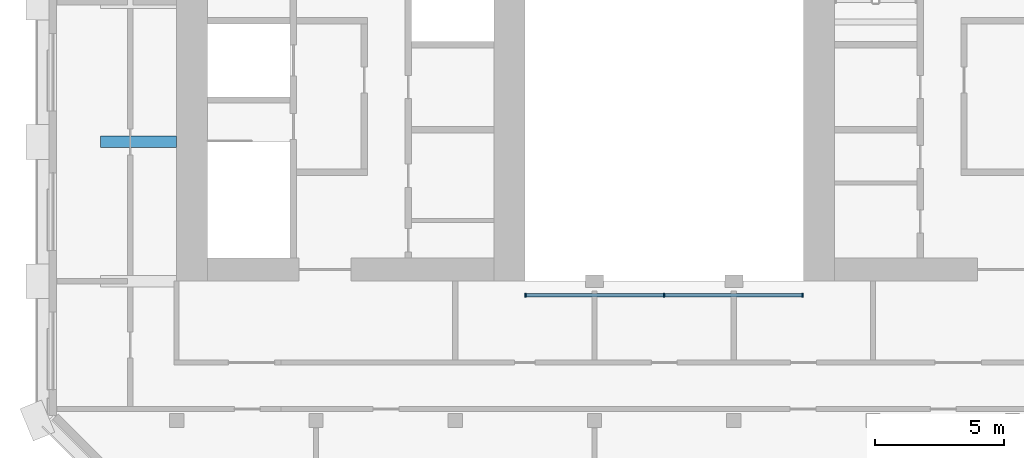
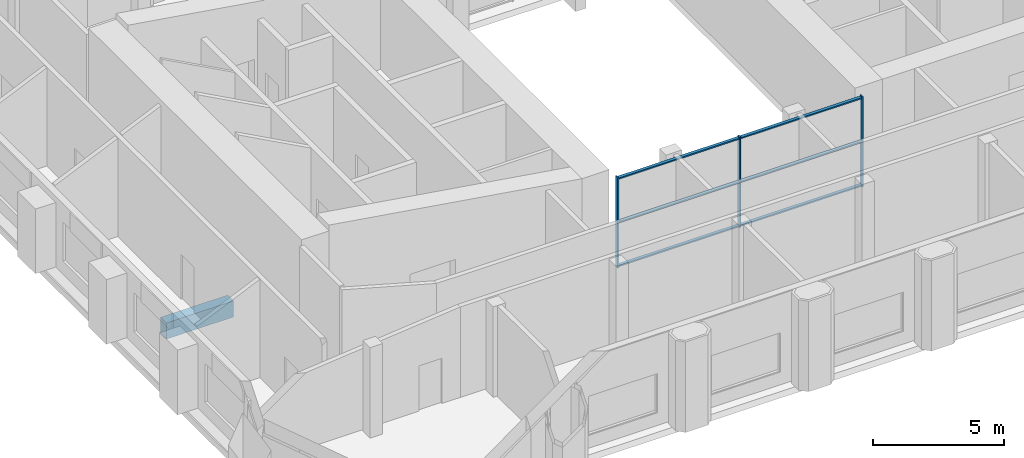
# One storey, part 2 of 11: 9 members, 1 beam, 1 element without a shape of its own.
"""IFC4 building model written with IfcOpenShell, lengths in metres."""

import ifcopenshell
import ifcopenshell.guid

model = None  # the IFC model being written
_history = None  # IfcOwnerHistory: only IFC2X3 demands one
_inside = {}  # id of a spatial element -> (the spatial element, [elements in it])
_under = {}  # id of a project, library or spatial element -> (it, [spatial elements below it])
_declared = {}  # id of a project -> (the project, [libraries it declares])
_typed = {}  # id of a type object -> (the type object, [elements of that type])
_made_of = {}  # id of a material, layer set ... -> (it, [elements and type objects made of it])


def new_model(schema):
    """Start an empty IFC model of exactly this schema.

    Asked for "IFC4X3", IfcOpenShell would pick the latest addendum, in which some entities
    have other attributes; the version numbers below select the first issue.
    IFC2X3 requires an IfcOwnerHistory on every rooted entity: one is made here for all.
    """
    global model, _history
    if schema == "IFC4X3":
        model = ifcopenshell.file(schema_version=(4, 3, 0, 0))
    else:
        model = ifcopenshell.file(schema=schema)
    _inside.clear()
    _under.clear()
    _declared.clear()
    _typed.clear()
    _made_of.clear()
    _history = None
    if model.schema == "IFC2X3":
        org = make("IfcOrganization", Name="unknown")
        user = make(
            "IfcPersonAndOrganization",
            ThePerson=make("IfcPerson", FamilyName="unknown"),
            TheOrganization=org,
        )
        app = make(
            "IfcApplication",
            ApplicationDeveloper=org,
            Version="unknown",
            ApplicationFullName="unknown",
            ApplicationIdentifier="unknown",
        )
        _history = make(
            "IfcOwnerHistory",
            OwningUser=user,
            OwningApplication=app,
            ChangeAction="ADDED",
            CreationDate=0,
        )
    return model


def make(cls, **values):
    """One entity of the class cls with the attributes given. An attribute that is None is left unset."""
    return model.create_entity(
        cls, **{name: value for name, value in values.items() if value is not None}
    )


def rooted(cls, **values):
    """An entity with a GlobalId (a new one), such as an element, a storey or a relation."""
    return make(cls, GlobalId=ifcopenshell.guid.new(), OwnerHistory=_history, **values)


def si_unit(unit_type, name, prefix=None):
    """IfcSIUnit, for example si_unit("LENGTHUNIT", "METRE", prefix="MILLI")."""
    return make("IfcSIUnit", UnitType=unit_type, Prefix=prefix, Name=name)


def assignment(units):
    """IfcUnitAssignment: the units of a project."""
    return None if units is None else make("IfcUnitAssignment", Units=units)


def point(xyz):
    """IfcCartesianPoint."""
    return None if xyz is None else make("IfcCartesianPoint", Coordinates=xyz)


def direction(xyz):
    """IfcDirection."""
    return None if xyz is None else make("IfcDirection", DirectionRatios=xyz)


def frame(location, z_axis=None, x_axis=None):
    """IfcAxis2Placement3D, a coordinate frame: its origin and axes. An axis left out is left unset."""
    return make(
        "IfcAxis2Placement3D",
        Location=point(location),
        Axis=direction(z_axis),
        RefDirection=direction(x_axis),
    )


def frame_2d(location, x_axis=None):
    """IfcAxis2Placement2D, a coordinate frame in the plane: its origin and x axis."""
    return make(
        "IfcAxis2Placement2D", Location=point(location), RefDirection=direction(x_axis)
    )


def origin():
    """The frame at (0, 0, 0) with its axes left unset."""
    return frame((0.0, 0.0, 0.0))


def origin_2d():
    """The frame at (0, 0) in the plane with its x axis left unset."""
    return frame_2d((0.0, 0.0))


def place(relative_to, where):
    """IfcLocalPlacement: puts the frame where relative to a parent placement (None: the world)."""
    return make(
        "IfcLocalPlacement", PlacementRelTo=relative_to, RelativePlacement=where
    )


def context(
    kind, dimensions, precision=None, world=None, true_north=None, identifier=None
):
    """IfcGeometricRepresentationContext, for example the 3D "Model" context."""
    return make(
        "IfcGeometricRepresentationContext",
        ContextIdentifier=identifier,
        ContextType=kind,
        CoordinateSpaceDimension=dimensions,
        Precision=precision,
        WorldCoordinateSystem=world,
        TrueNorth=true_north,
    )


def subcontext(parent, identifier, kind, view, scale=None):
    """IfcGeometricRepresentationSubContext, for example "Body" below "Model"."""
    return make(
        "IfcGeometricRepresentationSubContext",
        ContextIdentifier=identifier,
        ContextType=kind,
        ParentContext=parent,
        TargetScale=scale,
        TargetView=view,
    )


def project(units=None, contexts=None):
    """IfcProject with its units and contexts."""
    return rooted(
        "IfcProject",
        Name="project",
        RepresentationContexts=contexts,
        UnitsInContext=assignment(units),
    )


def spatial(cls, under=None, at=None, **own):
    """A site, building, storey or space (cls), placed at a placement, below another one or the project."""
    s = rooted(cls, ObjectPlacement=at, **own)
    if under is not None:
        _under.setdefault(under.id(), (under, []))[1].append(s)
    return s


def profile(cls, at=None, kind="AREA", **sizes):
    """A parametric profile (cls). Its sizes go by their IFC names, for example OverallWidth=200.0."""
    return make(cls, ProfileType=kind, Position=at, **sizes)


def rectangle(**sizes):
    """IfcRectangleProfileDef."""
    return profile("IfcRectangleProfileDef", **sizes)


def extrude(swept, where, along, depth):
    """IfcExtrudedAreaSolid: the profile swept, set in the frame where, extruded along a direction by depth."""
    return make(
        "IfcExtrudedAreaSolid",
        SweptArea=swept,
        Position=where,
        ExtrudedDirection=direction(along),
        Depth=depth,
    )


def shape(context_of_items, identifier, shape_type, items):
    """IfcShapeRepresentation: the items that make up one representation, for example the "Body"."""
    return make(
        "IfcShapeRepresentation",
        ContextOfItems=context_of_items,
        RepresentationIdentifier=identifier,
        RepresentationType=shape_type,
        Items=items,
    )


def material(Name=None, Category=None):
    """IfcMaterial."""
    return make("IfcMaterial", Name=Name, Category=Category)


def material_profile(
    of_material, cross_section, Name=None, Category=None, Priority=None
):
    """IfcMaterialProfile: a cross section and its material."""
    return make(
        "IfcMaterialProfile",
        Name=Name,
        Material=of_material,
        Profile=cross_section,
        Priority=Priority,
        Category=Category,
    )


def profile_set(profiles, Name=None, composite=None):
    """IfcMaterialProfileSet."""
    return make(
        "IfcMaterialProfileSet",
        Name=Name,
        MaterialProfiles=profiles,
        CompositeProfile=composite,
    )


def made_of(thing, what):
    """Note that an element or type object is made of a material, layer set ...; save() writes the relation."""
    if what is not None:
        _made_of.setdefault(what.id(), (what, []))[1].append(thing)
    return thing


def type_object(cls, material=None, **own):
    """A type object (cls), such as IfcWallType, which elements share."""
    return made_of(rooted(cls, **own), material)


def element(
    cls,
    number,
    at=None,
    inside=None,
    cuts=None,
    type_object=None,
    material=None,
    context=None,
    identifier="Body",
    shape_type=None,
    held_by="IfcProductDefinitionShape",
    body=None,
    shapes=None,
    **own,
):
    """One element of the class cls, such as IfcWall. Its Tag is "e" and its number.

    at: its placement. inside: the storey or other place that contains it. cuts: it is an
    opening in that element (IfcRelVoidsElement). A single representation is given by context,
    identifier, shape_type and body (its items); several are given by shapes. held_by: the class
    of the entity that holds the representations. save() writes the other relations.
    """
    e = rooted(cls, Tag="e%d" % number, ObjectPlacement=at, **own)
    if body is not None:
        shapes = [shape(context, identifier, shape_type, body)]
    if shapes is not None:
        e.Representation = make(held_by, Representations=shapes)
    if inside is not None:
        _inside.setdefault(inside.id(), (inside, []))[1].append(e)
    if cuts is not None:
        rooted(
            "IfcRelVoidsElement", RelatingBuildingElement=cuts, RelatedOpeningElement=e
        )
    if type_object is not None:
        _typed.setdefault(type_object.id(), (type_object, []))[1].append(e)
    return made_of(e, material)


def aggregate(whole, parts):
    """IfcRelAggregates: a whole, such as a stair, and the parts it consists of."""
    return rooted("IfcRelAggregates", RelatingObject=whole, RelatedObjects=parts)


def save(model, path):
    """Write the relations noted so far, then the file.

    IfcRelAggregates (storeys below a building ...), IfcRelContainedInSpatialStructure (elements
    in a storey), IfcRelDefinesByType, IfcRelAssociatesMaterial and IfcRelDeclares: one each for
    every whole, place, type object, material and project.
    """
    for whole, parts in _under.values():
        aggregate(whole, parts)
    for where, things in _inside.values():
        rooted(
            "IfcRelContainedInSpatialStructure",
            RelatedElements=things,
            RelatingStructure=where,
        )
    for kind, things in _typed.values():
        rooted("IfcRelDefinesByType", RelatedObjects=things, RelatingType=kind)
    for what, things in _made_of.values():
        rooted("IfcRelAssociatesMaterial", RelatedObjects=things, RelatingMaterial=what)
    for by, libraries in _declared.values():
        rooted("IfcRelDeclares", RelatingContext=by, RelatedDefinitions=libraries)
    model.write(path)


model = new_model("IFC4")

# Units and contexts
model_context = context("Model", 3, precision=1e-05, world=origin(), true_north=direction((0.0, 1.0)))
body_context = subcontext(model_context, "Body", "Model", "MODEL_VIEW")
ifc_project = project(units=[si_unit("LENGTHUNIT", "METRE"), si_unit("AREAUNIT", "SQUARE_METRE"), si_unit("VOLUMEUNIT", "CUBIC_METRE"), si_unit("PLANEANGLEUNIT", "RADIAN"), si_unit("MASSUNIT", "GRAM", prefix="KILO")], contexts=[model_context])

# Site, building, storey
site_placement = place(None, origin())
site = spatial("IfcSite", under=ifc_project, at=site_placement, CompositionType="ELEMENT")
building_placement = place(site_placement, origin())
building = spatial("IfcBuilding", under=site, at=building_placement, Name="Tabaq Tower and Sports Hall", CompositionType="ELEMENT")
storey_placement = place(building_placement, frame((0.0, 0.0, 321.699951171875)))
storey = spatial("IfcBuildingStorey", under=building, at=storey_placement, Name="L80", CompositionType="ELEMENT", Elevation=321.699951171875)

# Curtain wall, members
ifc_material_1 = material(Name="Aluminium alloy 6063-T6 framed glazing", Category="aluminium")
curtain_wall_type = type_object("IfcCurtainWallType", Name="CW1 curtain wall", PredefinedType="USERDEFINED", material=ifc_material_1)
curtain_wall_placement = place(storey_placement, origin())
curtain_wall = element("IfcCurtainWall", 1, at=curtain_wall_placement, inside=storey, type_object=curtain_wall_type, Name="Atrium glazing L80 S", ObjectType="ATRIUM ENCLOSURE", PredefinedType="USERDEFINED")
ifc_material_2 = material(Name="Aluminium alloy 6063-T6", Category="aluminium")
ifc_material_profile_1 = material_profile(ifc_material_2, rectangle(XDim=0.159912109375, YDim=0.06005859375, at=origin_2d()), Name="MULLION 160x60")
ifc_profile_set_1 = profile_set([ifc_material_profile_1], Name="Aluminium alloy 6063-T6")
member_type_1 = type_object("IfcMemberType", Name="CW1 mullion 160x60", PredefinedType="MULLION", material=ifc_profile_set_1)
member_1_placement = place(storey_placement, frame((18.929931640625, 15.64990234375, 0.0), z_axis=(0.0, 0.0, 1.0), x_axis=(0.0, 1.0, 0.0)))
member_1 = element("IfcMember", 2, at=member_1_placement, type_object=member_type_1, Name="CW1 mullion 1", PredefinedType="MULLION", context=body_context, shape_type="SweptSolid", body=[
    extrude(rectangle(XDim=0.159912109375, YDim=0.06005859375, at=origin_2d()), origin(), (0.0, 0.0, 1.0), 4.199951171875),
])
member_2_placement = place(storey_placement, frame((24.300048828125, 15.64990234375, 0.0), z_axis=(0.0, 0.0, 1.0), x_axis=(0.0, 1.0, 0.0)))
member_2 = element("IfcMember", 3, at=member_2_placement, type_object=member_type_1, Name="CW1 mullion 2", PredefinedType="MULLION", context=body_context, shape_type="SweptSolid", body=[
    extrude(rectangle(XDim=0.159912109375, YDim=0.06005859375, at=origin_2d()), origin(), (0.0, 0.0, 1.0), 4.199951171875),
])
member_3_placement = place(storey_placement, frame((29.669921875, 15.64990234375, 0.0), z_axis=(0.0, 0.0, 1.0), x_axis=(0.0, 1.0, 0.0)))
member_3 = element("IfcMember", 4, at=member_3_placement, type_object=member_type_1, Name="CW1 mullion 3", PredefinedType="MULLION", context=body_context, shape_type="SweptSolid", body=[
    extrude(rectangle(XDim=0.159912109375, YDim=0.06005859375, at=origin_2d()), origin(), (0.0, 0.0, 1.0), 4.199951171875),
])
ifc_material_3 = material(Name="Aluminium alloy 6063-T6", Category="aluminium")
ifc_material_profile_2 = material_profile(ifc_material_3, rectangle(XDim=0.139892578125, YDim=0.06005859375, at=origin_2d()), Name="TRANSOM 140x60")
ifc_profile_set_2 = profile_set([ifc_material_profile_2], Name="Aluminium alloy 6063-T6")
member_type_2 = type_object("IfcMemberType", Name="CW1 transom 140x60", PredefinedType="USERDEFINED", material=ifc_profile_set_2)
member_4_placement = place(storey_placement, frame((18.9599609375, 15.64990234375, 0.070068359375), z_axis=(1.0, 0.0, 0.0), x_axis=(0.0, 1.0, 0.0)))
member_4 = element("IfcMember", 5, at=member_4_placement, type_object=member_type_2, Name="CW1 transom 1.1", ObjectType="TRANSOM", PredefinedType="USERDEFINED", context=body_context, shape_type="SweptSolid", body=[
    extrude(rectangle(XDim=0.139892578125, YDim=0.06005859375, at=origin_2d()), origin(), (0.0, 0.0, 1.0), 5.31005859375),
])
member_5_placement = place(storey_placement, frame((18.9599609375, 15.64990234375, 2.10009765625), z_axis=(1.0, 0.0, 0.0), x_axis=(0.0, 1.0, 0.0)))
member_5 = element("IfcMember", 6, at=member_5_placement, type_object=member_type_2, Name="CW1 transom 1.2", ObjectType="TRANSOM", PredefinedType="USERDEFINED", context=body_context, shape_type="SweptSolid", body=[
    extrude(rectangle(XDim=0.139892578125, YDim=0.06005859375, at=origin_2d()), origin(), (0.0, 0.0, 1.0), 5.31005859375),
])
member_6_placement = place(storey_placement, frame((18.9599609375, 15.64990234375, 4.130126953125), z_axis=(1.0, 0.0, 0.0), x_axis=(0.0, 1.0, 0.0)))
member_6 = element("IfcMember", 7, at=member_6_placement, type_object=member_type_2, Name="CW1 transom 1.3", ObjectType="TRANSOM", PredefinedType="USERDEFINED", context=body_context, shape_type="SweptSolid", body=[
    extrude(rectangle(XDim=0.139892578125, YDim=0.06005859375, at=origin_2d()), origin(), (0.0, 0.0, 1.0), 5.31005859375),
])
member_7_placement = place(storey_placement, frame((24.330078125, 15.64990234375, 0.070068359375), z_axis=(1.0, 0.0, 0.0), x_axis=(0.0, 1.0, 0.0)))
member_7 = element("IfcMember", 8, at=member_7_placement, type_object=member_type_2, Name="CW1 transom 2.1", ObjectType="TRANSOM", PredefinedType="USERDEFINED", context=body_context, shape_type="SweptSolid", body=[
    extrude(rectangle(XDim=0.139892578125, YDim=0.06005859375, at=origin_2d()), origin(), (0.0, 0.0, 1.0), 5.309814453125),
])
member_8_placement = place(storey_placement, frame((24.330078125, 15.64990234375, 2.10009765625), z_axis=(1.0, 0.0, 0.0), x_axis=(0.0, 1.0, 0.0)))
member_8 = element("IfcMember", 9, at=member_8_placement, type_object=member_type_2, Name="CW1 transom 2.2", ObjectType="TRANSOM", PredefinedType="USERDEFINED", context=body_context, shape_type="SweptSolid", body=[
    extrude(rectangle(XDim=0.139892578125, YDim=0.06005859375, at=origin_2d()), origin(), (0.0, 0.0, 1.0), 5.309814453125),
])
member_9_placement = place(storey_placement, frame((24.330078125, 15.64990234375, 4.130126953125), z_axis=(1.0, 0.0, 0.0), x_axis=(0.0, 1.0, 0.0)))
member_9 = element("IfcMember", 10, at=member_9_placement, type_object=member_type_2, Name="CW1 transom 2.3", ObjectType="TRANSOM", PredefinedType="USERDEFINED", context=body_context, shape_type="SweptSolid", body=[
    extrude(rectangle(XDim=0.139892578125, YDim=0.06005859375, at=origin_2d()), origin(), (0.0, 0.0, 1.0), 5.309814453125),
])
aggregate(curtain_wall, [member_1, member_2, member_3, member_4, member_5, member_6, member_7, member_8, member_9])

# Beam
ifc_material_4 = material(Name="Concrete C40/50", Category="concrete")
ifc_material_profile_3 = material_profile(ifc_material_4, rectangle(XDim=0.449951171875, YDim=0.75, at=origin_2d()), Name="CB 450x750")
ifc_profile_set_3 = profile_set([ifc_material_profile_3], Name="Concrete C40/50")
beam_type = type_object("IfcBeamType", Name="PT CANTILEVER BEAM CB 450x750 C40/50", PredefinedType="BEAM", material=ifc_profile_set_3)
beam_placement = place(storey_placement, frame((2.449951171875, 21.60009765625, -0.675048828125), z_axis=(1.0, 0.0, 0.0), x_axis=(0.0, 1.0, 0.0)))
element("IfcBeam", 11, at=beam_placement, inside=storey, type_object=beam_type, Name="Cantilever Beam L80 W4 span 1", PredefinedType="BEAM", context=body_context, shape_type="SweptSolid", body=[
    extrude(rectangle(XDim=0.449951171875, YDim=0.75, at=origin_2d()), origin(), (0.0, 0.0, 1.0), 2.949951171875),
])

save(model, "model.ifc")
